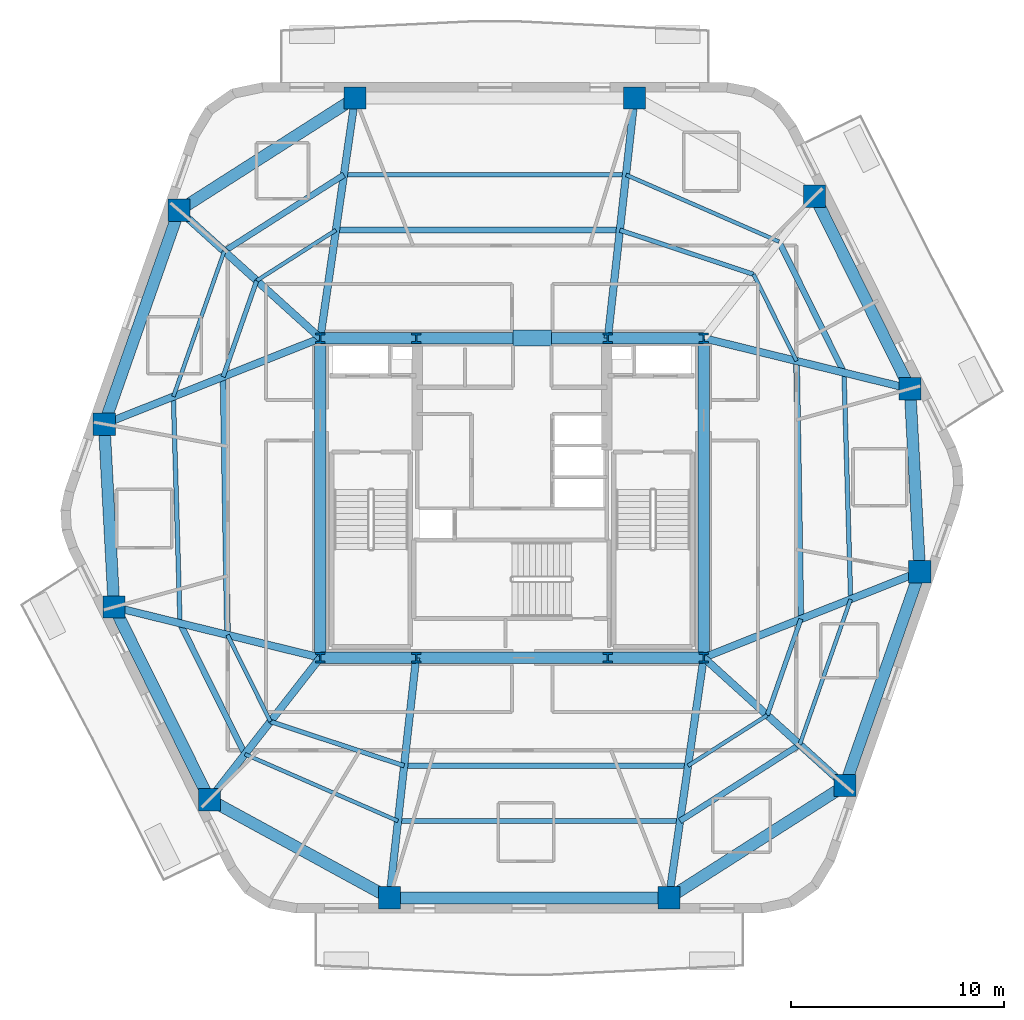
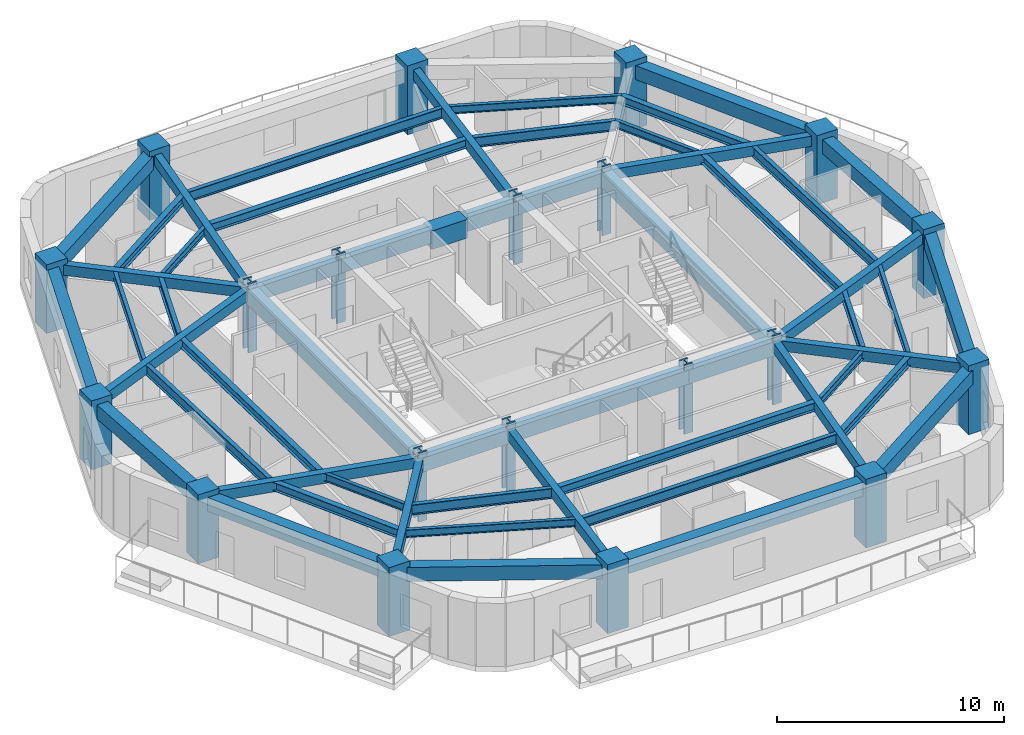
# One storey, part 1 of 10: 54 beams, 20 columns.
"""IFC4 building model written with IfcOpenShell, lengths in metres."""

from ifc_helpers import new_model, si_unit, direction, frame, origin, origin_2d, place, context, subcontext, project, spatial, rectangle, i_section, extrude, material, material_profile, profile_set, type_object, element, save


model = new_model("IFC4")

# Units and contexts
model_context = context("Model", 3, precision=1e-05, world=origin(), true_north=direction((0.0, 1.0)))
body_context = subcontext(model_context, "Body", "Model", "MODEL_VIEW")
ifc_project = project(units=[si_unit("LENGTHUNIT", "METRE"), si_unit("AREAUNIT", "SQUARE_METRE"), si_unit("VOLUMEUNIT", "CUBIC_METRE"), si_unit("PLANEANGLEUNIT", "RADIAN"), si_unit("MASSUNIT", "GRAM", prefix="KILO")], contexts=[model_context])

# Site, building, storey
site_placement = place(None, origin())
site = spatial("IfcSite", under=ifc_project, at=site_placement, CompositionType="ELEMENT")
building_placement = place(site_placement, origin())
building = spatial("IfcBuilding", under=site, at=building_placement, Name="Kilnhurst Terrace Hotel", CompositionType="ELEMENT")
storey_placement = place(building_placement, frame((0.0, 0.0, 190.39990234375)))
storey = spatial("IfcBuildingStorey", under=building, at=storey_placement, Name="L47", CompositionType="ELEMENT", Elevation=190.39990234375)

# Columns
ifc_material_1 = material(Name="Concrete C80/95", Category="concrete")
ifc_material_profile_1 = material_profile(ifc_material_1, rectangle(XDim=1.050048828125, YDim=1.050048828125, at=origin_2d()), Name="RC1050X1050")
ifc_profile_set_1 = profile_set([ifc_material_profile_1], Name="Concrete C80/95")
column_type_1 = type_object("IfcColumnType", Name="COL-RC-1050", PredefinedType="COLUMN", material=ifc_profile_set_1)
for number, where, z_axis, x_axis, name in (
    (1, (-5.7548828125, -18.780029296875, 0.0), (0.0, 0.0, 1.0), (1.0, 0.0, 0.0), "L47 Structural Column PC-F11"),
    (2, (7.368896484375, -18.780029296875, 0.0), (0.0, 0.0, 1.0), (1.0, 0.0, 0.0), "L47 Structural Column PC-F12"),
    (3, (15.633056640625, -13.5048828125, 0.0), (0.0, 0.0, 1.0), (1.0, 0.0, 0.0), "L47 Structural Column PC-F21"),
    (4, (19.14794921875, -3.467041015625, 0.0), (0.0, 0.0, 1.0), (1.0, 0.0, 0.0), "L47 Structural Column PC-F22"),
    (5, (18.68701171875, 5.1240234375, 0.0), (0.0, 0.0, 1.0), (1.0, 0.0, 0.0), "L47 Structural Column PC-F31"),
    (6, (14.2041015625, 14.166015625, 0.0), (0.0, 0.0, 1.0), (1.0, 0.0, 0.0), "L47 Structural Column PC-F32"),
    (7, (5.7548828125, 18.780029296875, 0.0), (0.0, 0.0, 1.0), (1.0, 0.0, 0.0), "L47 Structural Column PC-F41"),
    (8, (-7.368896484375, 18.780029296875, 0.0), (0.0, 0.0, 1.0), (1.0, 0.0, 0.0), "L47 Structural Column PC-F42"),
    (9, (-15.633056640625, 13.5048828125, 0.0), (0.0, 0.0, 1.0), (1.0, 0.0, 0.0), "L47 Structural Column PC-F51"),
    (10, (-19.14794921875, 3.467041015625, 0.0), (0.0, 0.0, 1.0), (1.0, 0.0, 0.0), "L47 Structural Column PC-F52"),
    (11, (-18.68701171875, -5.1240234375, 0.0), (0.0, 0.0, 1.0), (1.0, 0.0, 0.0), "L47 Structural Column PC-F61"),
    (12, (-14.2041015625, -14.166015625, 0.0), (0.0, 0.0, 1.0), (1.0, 0.0, 0.0), "L47 Structural Column PC-F62"),
):
    element("IfcColumn", number, at=place(storey_placement, frame(where, z_axis=z_axis, x_axis=x_axis)), inside=storey, type_object=column_type_1, Name=name, PredefinedType="COLUMN", context=body_context, shape_type="SweptSolid", body=[
        extrude(rectangle(XDim=1.050048828125, YDim=1.050048828125, at=origin_2d()), origin(), (0.0, 0.0, 1.0), 3.7001953125),
    ])
ifc_material_2 = material(Name="Steel ASTM A992 Grade 50", Category="steel")
ifc_material_profile_2 = material_profile(ifc_material_2, i_section(OverallWidth=0.43212890625, OverallDepth=0.497802734375, WebThickness=0.0556640625, FlangeThickness=0.0888671875, at=origin_2d()), Name="W14X500")
ifc_profile_set_2 = profile_set([ifc_material_profile_2], Name="Steel ASTM A992 Grade 50")
column_type_2 = type_object("IfcColumnType", Name="COL-STL-W14X500", PredefinedType="COLUMN", material=ifc_profile_set_2)
for number, where, z_axis, x_axis, name in (
    (13, (-9.0, -7.5, 0.0), (0.0, 0.0, 1.0), (1.0, 0.0, 0.0), "L47 Structural Column CC-SW"),
    (14, (-4.5, -7.5, 0.0), (0.0, 0.0, 1.0), (1.0, 0.0, 0.0), "L47 Structural Column CC-SC1"),
    (15, (4.5, -7.5, 0.0), (0.0, 0.0, 1.0), (1.0, 0.0, 0.0), "L47 Structural Column CC-SC2"),
    (16, (9.0, -7.5, 0.0), (0.0, 0.0, 1.0), (1.0, 0.0, 0.0), "L47 Structural Column CC-SE"),
    (17, (9.0, 7.5, 0.0), (0.0, 0.0, 1.0), (1.0, 0.0, 0.0), "L47 Structural Column CC-NE"),
    (18, (4.5, 7.5, 0.0), (0.0, 0.0, 1.0), (1.0, 0.0, 0.0), "L47 Structural Column CC-NC2"),
    (19, (-4.5, 7.5, 0.0), (0.0, 0.0, 1.0), (1.0, 0.0, 0.0), "L47 Structural Column CC-NC1"),
    (20, (-9.0, 7.5, 0.0), (0.0, 0.0, 1.0), (1.0, 0.0, 0.0), "L47 Structural Column CC-NW"),
):
    element("IfcColumn", number, at=place(storey_placement, frame(where, z_axis=z_axis, x_axis=x_axis)), inside=storey, type_object=column_type_2, Name=name, PredefinedType="COLUMN", context=body_context, shape_type="SweptSolid", body=[
        extrude(i_section(OverallWidth=0.43212890625, OverallDepth=0.497802734375, WebThickness=0.0556640625, FlangeThickness=0.0888671875, at=origin_2d()), origin(), (0.0, 0.0, 1.0), 3.7001953125),
    ])

# Beams
ifc_material_3 = material(Name="Concrete C50/60", Category="concrete")
ifc_material_profile_3 = material_profile(ifc_material_3, rectangle(XDim=0.35009765625, YDim=0.550048828125, at=origin_2d()), Name="RC350X550")
ifc_profile_set_3 = profile_set([ifc_material_profile_3], Name="Concrete C50/60")
beam_type_1 = type_object("IfcBeamType", Name="BM-RAD-350X550", PredefinedType="BEAM", material=ifc_profile_set_3)
beam_1_placement = place(storey_placement, frame((-4.5, -7.5, 3.125), z_axis=(-0.110566099441, -0.993868772854, 0.0), x_axis=(0.993868772854, -0.110566099441, 0.0)))
element("IfcBeam", 21, at=beam_1_placement, inside=storey, type_object=beam_type_1, Name="L47 Radial Floor Beam 1", PredefinedType="BEAM", context=body_context, shape_type="SweptSolid", body=[
    extrude(rectangle(XDim=0.35009765625, YDim=0.550048828125, at=origin_2d()), origin(), (0.0, 0.0, 1.0), 11.349609375),
])
beam_2_placement = place(storey_placement, frame((9.0, -7.5, 3.125), z_axis=(-0.143112538238, -0.989706421824, 0.0), x_axis=(0.989706421824, -0.143112538238, 0.0)))
element("IfcBeam", 22, at=beam_2_placement, inside=storey, type_object=beam_type_1, Name="L47 Radial Floor Beam 2", PredefinedType="BEAM", context=body_context, shape_type="SweptSolid", body=[
    extrude(rectangle(XDim=0.35009765625, YDim=0.550048828125, at=origin_2d()), origin(), (0.0, 0.0, 1.0), 11.3974609375),
])
beam_3_placement = place(storey_placement, frame((9.0, -7.5, 3.125), z_axis=(0.741338585645, -0.671131210296, 0.0), x_axis=(0.671131210296, 0.741338585645, 0.0)))
element("IfcBeam", 23, at=beam_3_placement, inside=storey, type_object=beam_type_1, Name="L47 Radial Floor Beam 3", PredefinedType="BEAM", context=body_context, shape_type="SweptSolid", body=[
    extrude(rectangle(XDim=0.35009765625, YDim=0.550048828125, at=origin_2d()), origin(), (0.0, 0.0, 1.0), 8.947509765625),
])
beam_4_placement = place(storey_placement, frame((9.0, -7.5, 3.125), z_axis=(0.929302373458, 0.369319778356, 0.0), x_axis=(-0.369319778356, 0.929302373458, 0.0)))
element("IfcBeam", 24, at=beam_4_placement, inside=storey, type_object=beam_type_1, Name="L47 Radial Floor Beam 4", PredefinedType="BEAM", context=body_context, shape_type="SweptSolid", body=[
    extrude(rectangle(XDim=0.35009765625, YDim=0.550048828125, at=origin_2d()), origin(), (0.0, 0.0, 1.0), 10.919921875),
])
beam_5_placement = place(storey_placement, frame((9.0, 7.5, 3.125), z_axis=(0.971212767405, -0.238213686486, 0.0), x_axis=(0.238213686486, 0.971212767405, 0.0)))
element("IfcBeam", 25, at=beam_5_placement, inside=storey, type_object=beam_type_1, Name="L47 Radial Floor Beam 5", PredefinedType="BEAM", context=body_context, shape_type="SweptSolid", body=[
    extrude(rectangle(XDim=0.35009765625, YDim=0.550048828125, at=origin_2d()), origin(), (0.0, 0.0, 1.0), 9.97412109375),
])
beam_6_placement = place(storey_placement, frame((4.5, 7.5, 3.125), z_axis=(0.110566099441, 0.993868772854, 0.0), x_axis=(-0.993868772854, 0.110566099441, 0.0)))
element("IfcBeam", 26, at=beam_6_placement, inside=storey, type_object=beam_type_1, Name="L47 Radial Floor Beam 7", PredefinedType="BEAM", context=body_context, shape_type="SweptSolid", body=[
    extrude(rectangle(XDim=0.35009765625, YDim=0.550048828125, at=origin_2d()), origin(), (0.0, 0.0, 1.0), 11.349609375),
])
beam_7_placement = place(storey_placement, frame((-9.0, 7.5, 3.125), z_axis=(0.143112538238, 0.989706421824, 0.0), x_axis=(-0.989706421824, 0.143112538238, 0.0)))
element("IfcBeam", 27, at=beam_7_placement, inside=storey, type_object=beam_type_1, Name="L47 Radial Floor Beam 8", PredefinedType="BEAM", context=body_context, shape_type="SweptSolid", body=[
    extrude(rectangle(XDim=0.35009765625, YDim=0.550048828125, at=origin_2d()), origin(), (0.0, 0.0, 1.0), 11.3974609375),
])
beam_8_placement = place(storey_placement, frame((-9.0, 7.5, 3.125), z_axis=(-0.741338585645, 0.671131210296, 0.0), x_axis=(-0.671131210296, -0.741338585645, 0.0)))
element("IfcBeam", 28, at=beam_8_placement, inside=storey, type_object=beam_type_1, Name="L47 Radial Floor Beam 9", PredefinedType="BEAM", context=body_context, shape_type="SweptSolid", body=[
    extrude(rectangle(XDim=0.35009765625, YDim=0.550048828125, at=origin_2d()), origin(), (0.0, 0.0, 1.0), 8.947509765625),
])
beam_9_placement = place(storey_placement, frame((-9.0, 7.5, 3.125), z_axis=(-0.929302373458, -0.369319778356, 0.0), x_axis=(0.369319778356, -0.929302373458, 0.0)))
element("IfcBeam", 29, at=beam_9_placement, inside=storey, type_object=beam_type_1, Name="L47 Radial Floor Beam 10", PredefinedType="BEAM", context=body_context, shape_type="SweptSolid", body=[
    extrude(rectangle(XDim=0.35009765625, YDim=0.550048828125, at=origin_2d()), origin(), (0.0, 0.0, 1.0), 10.919921875),
])
beam_10_placement = place(storey_placement, frame((-9.0, -7.5, 3.125), z_axis=(-0.971212767405, 0.238213686486, 0.0), x_axis=(-0.238213686486, -0.971212767405, 0.0)))
element("IfcBeam", 30, at=beam_10_placement, inside=storey, type_object=beam_type_1, Name="L47 Radial Floor Beam 11", PredefinedType="BEAM", context=body_context, shape_type="SweptSolid", body=[
    extrude(rectangle(XDim=0.35009765625, YDim=0.550048828125, at=origin_2d()), origin(), (0.0, 0.0, 1.0), 9.97412109375),
])
beam_11_placement = place(storey_placement, frame((-9.0, -7.5, 3.125), z_axis=(-0.615370616457, -0.78823791104, 0.0), x_axis=(0.78823791104, -0.615370616457, 0.0)))
element("IfcBeam", 31, at=beam_11_placement, inside=storey, type_object=beam_type_1, Name="L47 Radial Floor Beam 12", PredefinedType="BEAM", context=body_context, shape_type="SweptSolid", body=[
    extrude(rectangle(XDim=0.35009765625, YDim=0.550048828125, at=origin_2d()), origin(), (0.0, 0.0, 1.0), 8.456787109375),
])
ifc_material_profile_4 = material_profile(ifc_material_3, rectangle(XDim=0.550048828125, YDim=0.75, at=origin_2d()), Name="RC550X750")
ifc_profile_set_4 = profile_set([ifc_material_profile_4], Name="Concrete C50/60")
beam_type_2 = type_object("IfcBeamType", Name="BM-SPN-550X750", PredefinedType="SPANDREL", material=ifc_profile_set_4)
beam_12_placement = place(storey_placement, frame((-9.0, 7.5, 3.025146484375), z_axis=(1.0, 0.0, 0.0), x_axis=(0.0, 1.0, 0.0)))
element("IfcBeam", 32, at=beam_12_placement, inside=storey, type_object=beam_type_2, Name="L47 Core Tie Beam CC-NW to CC-NC1", PredefinedType="SPANDREL", context=body_context, shape_type="SweptSolid", body=[
    extrude(rectangle(XDim=0.550048828125, YDim=0.75, at=origin_2d()), origin(), (0.0, 0.0, 1.0), 4.5),
])
beam_13_placement = place(storey_placement, frame((-4.5, 7.5, 3.025146484375), z_axis=(1.0, 0.0, 0.0), x_axis=(0.0, 1.0, 0.0)))
element("IfcBeam", 33, at=beam_13_placement, inside=storey, type_object=beam_type_2, Name="L47 Core Tie Beam CC-NC1 to CC-NC2", PredefinedType="SPANDREL", context=body_context, shape_type="SweptSolid", body=[
    extrude(rectangle(XDim=0.550048828125, YDim=0.75, at=origin_2d()), origin(), (0.0, 0.0, 1.0), 9.0),
])
for number, where, z_axis, x_axis, name in (
    (34, (4.5, 7.5, 3.025146484375), (1.0, 0.0, 0.0), (0.0, 1.0, 0.0), "L47 Core Tie Beam CC-NC2 to CC-NE"),
    (35, (-9.0, -7.5, 3.025146484375), (1.0, 0.0, 0.0), (0.0, 1.0, 0.0), "L47 Core Tie Beam CC-SW to CC-SC1"),
):
    element("IfcBeam", number, at=place(storey_placement, frame(where, z_axis=z_axis, x_axis=x_axis)), inside=storey, type_object=beam_type_2, Name=name, PredefinedType="SPANDREL", context=body_context, shape_type="SweptSolid", body=[
        extrude(rectangle(XDim=0.550048828125, YDim=0.75, at=origin_2d()), origin(), (0.0, 0.0, 1.0), 4.5),
    ])
beam_14_placement = place(storey_placement, frame((-4.5, -7.5, 3.025146484375), z_axis=(1.0, 0.0, 0.0), x_axis=(0.0, 1.0, 0.0)))
element("IfcBeam", 36, at=beam_14_placement, inside=storey, type_object=beam_type_2, Name="L47 Core Tie Beam CC-SC1 to CC-SC2", PredefinedType="SPANDREL", context=body_context, shape_type="SweptSolid", body=[
    extrude(rectangle(XDim=0.550048828125, YDim=0.75, at=origin_2d()), origin(), (0.0, 0.0, 1.0), 9.0),
])
beam_15_placement = place(storey_placement, frame((4.5, -7.5, 3.025146484375), z_axis=(1.0, 0.0, 0.0), x_axis=(0.0, 1.0, 0.0)))
element("IfcBeam", 37, at=beam_15_placement, inside=storey, type_object=beam_type_2, Name="L47 Core Tie Beam CC-SC2 to CC-SE", PredefinedType="SPANDREL", context=body_context, shape_type="SweptSolid", body=[
    extrude(rectangle(XDim=0.550048828125, YDim=0.75, at=origin_2d()), origin(), (0.0, 0.0, 1.0), 4.5),
])
for number, where, z_axis, x_axis, name in (
    (38, (-9.0, -7.5, 3.025146484375), (0.0, 1.0, 0.0), (-1.0, 0.0, 0.0), "L47 Core Tie Beam CC-SW to CC-NW"),
    (39, (9.0, -7.5, 3.025146484375), (0.0, 1.0, 0.0), (-1.0, 0.0, 0.0), "L47 Core Tie Beam CC-SE to CC-NE"),
):
    element("IfcBeam", number, at=place(storey_placement, frame(where, z_axis=z_axis, x_axis=x_axis)), inside=storey, type_object=beam_type_2, Name=name, PredefinedType="SPANDREL", context=body_context, shape_type="SweptSolid", body=[
        extrude(rectangle(XDim=0.550048828125, YDim=0.75, at=origin_2d()), origin(), (0.0, 0.0, 1.0), 15.0),
    ])
beam_16_placement = place(storey_placement, frame((-5.7548828125, -18.780029296875, 3.025146484375), z_axis=(1.0, 0.0, 0.0), x_axis=(0.0, 1.0, 0.0)))
element("IfcBeam", 40, at=beam_16_placement, inside=storey, type_object=beam_type_2, Name="L47 Perimeter Spandrel Beam 1", PredefinedType="SPANDREL", context=body_context, shape_type="SweptSolid", body=[
    extrude(rectangle(XDim=0.550048828125, YDim=0.75, at=origin_2d()), origin(), (0.0, 0.0, 1.0), 13.123779296875),
])
beam_17_placement = place(storey_placement, frame((7.368896484375, -18.780029296875, 3.025146484375), z_axis=(0.842915241256, 0.538046369803, 0.0), x_axis=(-0.538046369803, 0.842915241256, 0.0)))
element("IfcBeam", 41, at=beam_17_placement, inside=storey, type_object=beam_type_2, Name="L47 Perimeter Spandrel Beam 2", PredefinedType="SPANDREL", context=body_context, shape_type="SweptSolid", body=[
    extrude(rectangle(XDim=0.550048828125, YDim=0.75, at=origin_2d()), origin(), (0.0, 0.0, 1.0), 9.80419921875),
])
beam_18_placement = place(storey_placement, frame((15.633056640625, -13.5048828125, 3.025146484375), z_axis=(0.330488460168, 0.943810032632, 0.0), x_axis=(-0.943810032632, 0.330488460168, 0.0)))
element("IfcBeam", 42, at=beam_18_placement, inside=storey, type_object=beam_type_2, Name="L47 Perimeter Spandrel Beam 3", PredefinedType="SPANDREL", context=body_context, shape_type="SweptSolid", body=[
    extrude(rectangle(XDim=0.550048828125, YDim=0.75, at=origin_2d()), origin(), (0.0, 0.0, 1.0), 10.635498046875),
])
beam_19_placement = place(storey_placement, frame((19.14794921875, -3.467041015625, 3.025146484375), z_axis=(-0.053576072051, 0.998563770875, 0.0), x_axis=(-0.998563770875, -0.053576072051, 0.0)))
element("IfcBeam", 43, at=beam_19_placement, inside=storey, type_object=beam_type_2, Name="L47 Perimeter Spandrel Beam 4", PredefinedType="SPANDREL", context=body_context, shape_type="SweptSolid", body=[
    extrude(rectangle(XDim=0.550048828125, YDim=0.75, at=origin_2d()), origin(), (0.0, 0.0, 1.0), 8.603515625),
])
beam_20_placement = place(storey_placement, frame((18.68701171875, 5.1240234375, 3.025146484375), z_axis=(-0.444192032261, 0.895931603682, 0.0), x_axis=(-0.895931603682, -0.444192032261, 0.0)))
element("IfcBeam", 44, at=beam_20_placement, inside=storey, type_object=beam_type_2, Name="L47 Perimeter Spandrel Beam 5", PredefinedType="SPANDREL", context=body_context, shape_type="SweptSolid", body=[
    extrude(rectangle(XDim=0.550048828125, YDim=0.75, at=origin_2d()), origin(), (0.0, 0.0, 1.0), 10.09228515625),
])
beam_21_placement = place(storey_placement, frame((-7.368896484375, 18.780029296875, 3.025146484375), z_axis=(-0.842915241256, -0.538046369803, 0.0), x_axis=(0.538046369803, -0.842915241256, 0.0)))
element("IfcBeam", 45, at=beam_21_placement, inside=storey, type_object=beam_type_2, Name="L47 Perimeter Spandrel Beam 8", PredefinedType="SPANDREL", context=body_context, shape_type="SweptSolid", body=[
    extrude(rectangle(XDim=0.550048828125, YDim=0.75, at=origin_2d()), origin(), (0.0, 0.0, 1.0), 9.80419921875),
])
beam_22_placement = place(storey_placement, frame((-15.633056640625, 13.5048828125, 3.025146484375), z_axis=(-0.330488460168, -0.943810032632, 0.0), x_axis=(0.943810032632, -0.330488460168, 0.0)))
element("IfcBeam", 46, at=beam_22_placement, inside=storey, type_object=beam_type_2, Name="L47 Perimeter Spandrel Beam 9", PredefinedType="SPANDREL", context=body_context, shape_type="SweptSolid", body=[
    extrude(rectangle(XDim=0.550048828125, YDim=0.75, at=origin_2d()), origin(), (0.0, 0.0, 1.0), 10.635498046875),
])
beam_23_placement = place(storey_placement, frame((-19.14794921875, 3.467041015625, 3.025146484375), z_axis=(0.053576072051, -0.998563770875, 0.0), x_axis=(0.998563770875, 0.053576072051, 0.0)))
element("IfcBeam", 47, at=beam_23_placement, inside=storey, type_object=beam_type_2, Name="L47 Perimeter Spandrel Beam 10", PredefinedType="SPANDREL", context=body_context, shape_type="SweptSolid", body=[
    extrude(rectangle(XDim=0.550048828125, YDim=0.75, at=origin_2d()), origin(), (0.0, 0.0, 1.0), 8.603515625),
])
beam_24_placement = place(storey_placement, frame((-18.68701171875, -5.1240234375, 3.025146484375), z_axis=(0.444192032261, -0.895931603682, 0.0), x_axis=(0.895931603682, 0.444192032261, 0.0)))
element("IfcBeam", 48, at=beam_24_placement, inside=storey, type_object=beam_type_2, Name="L47 Perimeter Spandrel Beam 11", PredefinedType="SPANDREL", context=body_context, shape_type="SweptSolid", body=[
    extrude(rectangle(XDim=0.550048828125, YDim=0.75, at=origin_2d()), origin(), (0.0, 0.0, 1.0), 10.09228515625),
])
beam_25_placement = place(storey_placement, frame((-14.2041015625, -14.166015625, 3.025146484375), z_axis=(0.87766189723, -0.479280287672, 0.0), x_axis=(0.479280287672, 0.87766189723, 0.0)))
element("IfcBeam", 49, at=beam_25_placement, inside=storey, type_object=beam_type_2, Name="L47 Perimeter Spandrel Beam 12", PredefinedType="SPANDREL", context=body_context, shape_type="SweptSolid", body=[
    extrude(rectangle(XDim=0.550048828125, YDim=0.75, at=origin_2d()), origin(), (0.0, 0.0, 1.0), 9.626953125),
])
ifc_material_profile_5 = material_profile(ifc_material_2, i_section(OverallWidth=0.180908203125, OverallDepth=0.417236328125, WebThickness=0.010986328125, FlangeThickness=0.018310546875, at=origin_2d()), Name="W16X57")
ifc_profile_set_5 = profile_set([ifc_material_profile_5], Name="Steel ASTM A992 Grade 50")
beam_type_3 = type_object("IfcBeamType", Name="JST-STL-W16X57", PredefinedType="JOIST", material=ifc_profile_set_5)
beam_26_placement = place(storey_placement, frame((13.510498046875, -11.58349609375, 3.191162109375), z_axis=(0.330481239411, 0.943812561051, 0.0), x_axis=(-0.943812561051, 0.330481239411, 0.0)))
element("IfcBeam", 50, at=beam_26_placement, inside=storey, type_object=beam_type_3, Name="L47 Secondary Floor Steel Joist OUT.3", PredefinedType="JOIST", context=body_context, shape_type="SweptSolid", body=[
    extrude(i_section(OverallWidth=0.180908203125, OverallDepth=0.417236328125, WebThickness=0.010986328125, FlangeThickness=0.018310546875, at=origin_2d()), origin(), (0.0, 0.0, 1.0), 7.232177734375),
])
beam_27_placement = place(storey_placement, frame((12.538818359375, 12.032958984375, 3.191162109375), z_axis=(-0.916443679054, 0.400163695407, 0.0), x_axis=(-0.400163695407, -0.916443679054, 0.0)))
element("IfcBeam", 51, at=beam_27_placement, inside=storey, type_object=beam_type_3, Name="L47 Secondary Floor Steel Joist OUT.6", PredefinedType="JOIST", context=body_context, shape_type="SweptSolid", body=[
    extrude(i_section(OverallWidth=0.180908203125, OverallDepth=0.417236328125, WebThickness=0.010986328125, FlangeThickness=0.018310546875, at=origin_2d()), origin(), (0.0, 0.0, 1.0), 7.84033203125),
])
beam_28_placement = place(storey_placement, frame((-13.510498046875, 11.58349609375, 3.191162109375), z_axis=(-0.330481239411, -0.943812561051, 0.0), x_axis=(0.943812561051, -0.330481239411, 0.0)))
element("IfcBeam", 52, at=beam_28_placement, inside=storey, type_object=beam_type_3, Name="L47 Secondary Floor Steel Joist OUT.9", PredefinedType="JOIST", context=body_context, shape_type="SweptSolid", body=[
    extrude(i_section(OverallWidth=0.180908203125, OverallDepth=0.417236328125, WebThickness=0.010986328125, FlangeThickness=0.018310546875, at=origin_2d()), origin(), (0.0, 0.0, 1.0), 7.232177734375),
])
beam_29_placement = place(storey_placement, frame((-12.538818359375, -12.032958984375, 3.191162109375), z_axis=(0.916443679054, -0.400163695407, 0.0), x_axis=(0.400163695407, 0.916443679054, 0.0)))
element("IfcBeam", 53, at=beam_29_placement, inside=storey, type_object=beam_type_3, Name="L47 Secondary Floor Steel Joist OUT.12", PredefinedType="JOIST", context=body_context, shape_type="SweptSolid", body=[
    extrude(i_section(OverallWidth=0.180908203125, OverallDepth=0.417236328125, WebThickness=0.010986328125, FlangeThickness=0.018310546875, at=origin_2d()), origin(), (0.0, 0.0, 1.0), 7.84033203125),
])
beam_30_placement = place(storey_placement, frame((8.26611328125, -12.575927734375, 3.191162109375), z_axis=(0.842910995806, 0.53805302076, 0.0), x_axis=(-0.53805302076, 0.842910995806, 0.0)))
element("IfcBeam", 54, at=beam_30_placement, inside=storey, type_object=beam_type_3, Name="L47 Secondary Floor Steel Joist IN.2", PredefinedType="JOIST", context=body_context, shape_type="SweptSolid", body=[
    extrude(i_section(OverallWidth=0.180908203125, OverallDepth=0.417236328125, WebThickness=0.010986328125, FlangeThickness=0.018310546875, at=origin_2d()), origin(), (0.0, 0.0, 1.0), 4.411865234375),
])
beam_31_placement = place(storey_placement, frame((13.359130859375, 6.430908203125, 3.191162109375), z_axis=(-0.444200626094, 0.895927342912, 0.0), x_axis=(-0.895927342912, -0.444200626094, 0.0)))
element("IfcBeam", 55, at=beam_31_placement, inside=storey, type_object=beam_type_3, Name="L47 Secondary Floor Steel Joist IN.5", PredefinedType="JOIST", context=body_context, shape_type="SweptSolid", body=[
    extrude(i_section(OverallWidth=0.180908203125, OverallDepth=0.417236328125, WebThickness=0.010986328125, FlangeThickness=0.018310546875, at=origin_2d()), origin(), (0.0, 0.0, 1.0), 4.54150390625),
])
beam_32_placement = place(storey_placement, frame((-8.26611328125, 12.575927734375, 3.191162109375), z_axis=(-0.842910995806, -0.53805302076, 0.0), x_axis=(0.53805302076, -0.842910995806, 0.0)))
element("IfcBeam", 56, at=beam_32_placement, inside=storey, type_object=beam_type_3, Name="L47 Secondary Floor Steel Joist IN.8", PredefinedType="JOIST", context=body_context, shape_type="SweptSolid", body=[
    extrude(i_section(OverallWidth=0.180908203125, OverallDepth=0.417236328125, WebThickness=0.010986328125, FlangeThickness=0.018310546875, at=origin_2d()), origin(), (0.0, 0.0, 1.0), 4.411865234375),
])
beam_33_placement = place(storey_placement, frame((-13.359130859375, -6.430908203125, 3.191162109375), z_axis=(0.444200626094, -0.895927342912, 0.0), x_axis=(0.895927342912, 0.444200626094, 0.0)))
element("IfcBeam", 57, at=beam_33_placement, inside=storey, type_object=beam_type_3, Name="L47 Secondary Floor Steel Joist IN.11", PredefinedType="JOIST", context=body_context, shape_type="SweptSolid", body=[
    extrude(i_section(OverallWidth=0.180908203125, OverallDepth=0.417236328125, WebThickness=0.010986328125, FlangeThickness=0.018310546875, at=origin_2d()), origin(), (0.0, 0.0, 1.0), 4.54150390625),
])
ifc_material_profile_6 = material_profile(ifc_material_2, i_section(OverallWidth=0.279296875, OverallDepth=0.462890625, WebThickness=0.0107421875, FlangeThickness=0.017333984375, at=origin_2d()), Name="W18X76")
ifc_profile_set_6 = profile_set([ifc_material_profile_6], Name="Steel ASTM A992 Grade 50")
beam_type_4 = type_object("IfcBeamType", Name="JST-STL-W18X76", PredefinedType="JOIST", material=ifc_profile_set_6)
beam_34_placement = place(storey_placement, frame((7.890869140625, -15.17041015625, 3.168212890625), z_axis=(0.842927863369, 0.538026595213, 0.0), x_axis=(-0.538026595213, 0.842927863369, 0.0)))
element("IfcBeam", 58, at=beam_34_placement, inside=storey, type_object=beam_type_4, Name="L47 Secondary Floor Steel Joist OUT.2", PredefinedType="JOIST", context=body_context, shape_type="SweptSolid", body=[
    extrude(i_section(OverallWidth=0.279296875, OverallDepth=0.462890625, WebThickness=0.0107421875, FlangeThickness=0.017333984375, at=origin_2d()), origin(), (0.0, 0.0, 1.0), 6.666748046875),
])
beam_35_placement = place(storey_placement, frame((15.587158203125, 5.88427734375, 3.168212890625), z_axis=(-0.444180101574, 0.895937518673, 0.0), x_axis=(-0.895937518673, -0.444180101574, 0.0)))
element("IfcBeam", 59, at=beam_35_placement, inside=storey, type_object=beam_type_4, Name="L47 Secondary Floor Steel Joist OUT.5", PredefinedType="JOIST", context=body_context, shape_type="SweptSolid", body=[
    extrude(i_section(OverallWidth=0.279296875, OverallDepth=0.462890625, WebThickness=0.0107421875, FlangeThickness=0.017333984375, at=origin_2d()), origin(), (0.0, 0.0, 1.0), 6.86279296875),
])
beam_36_placement = place(storey_placement, frame((-7.890869140625, 15.17041015625, 3.168212890625), z_axis=(-0.842927863369, -0.538026595213, 0.0), x_axis=(0.538026595213, -0.842927863369, 0.0)))
element("IfcBeam", 60, at=beam_36_placement, inside=storey, type_object=beam_type_4, Name="L47 Secondary Floor Steel Joist OUT.8", PredefinedType="JOIST", context=body_context, shape_type="SweptSolid", body=[
    extrude(i_section(OverallWidth=0.279296875, OverallDepth=0.462890625, WebThickness=0.0107421875, FlangeThickness=0.017333984375, at=origin_2d()), origin(), (0.0, 0.0, 1.0), 6.666748046875),
])
beam_37_placement = place(storey_placement, frame((-15.587158203125, -5.88427734375, 3.168212890625), z_axis=(0.444180101574, -0.895937518673, 0.0), x_axis=(0.895937518673, 0.444180101574, 0.0)))
element("IfcBeam", 61, at=beam_37_placement, inside=storey, type_object=beam_type_4, Name="L47 Secondary Floor Steel Joist OUT.11", PredefinedType="JOIST", context=body_context, shape_type="SweptSolid", body=[
    extrude(i_section(OverallWidth=0.279296875, OverallDepth=0.462890625, WebThickness=0.0107421875, FlangeThickness=0.017333984375, at=origin_2d()), origin(), (0.0, 0.0, 1.0), 6.86279296875),
])
beam_38_placement = place(storey_placement, frame((-5.064697265625, -12.575927734375, 3.168212890625), z_axis=(1.0, 0.0, 0.0), x_axis=(0.0, 1.0, 0.0)))
element("IfcBeam", 62, at=beam_38_placement, inside=storey, type_object=beam_type_4, Name="L47 Secondary Floor Steel Joist IN.1", PredefinedType="JOIST", context=body_context, shape_type="SweptSolid", body=[
    extrude(i_section(OverallWidth=0.279296875, OverallDepth=0.462890625, WebThickness=0.0107421875, FlangeThickness=0.017333984375, at=origin_2d()), origin(), (0.0, 0.0, 1.0), 13.330810546875),
])
beam_39_placement = place(storey_placement, frame((13.566650390625, -5.685302734375, 3.168212890625), z_axis=(-0.017124916462, 0.999853357866, 0.0), x_axis=(-0.999853357866, -0.017124916462, 0.0)))
element("IfcBeam", 63, at=beam_39_placement, inside=storey, type_object=beam_type_4, Name="L47 Secondary Floor Steel Joist IN.4", PredefinedType="JOIST", context=body_context, shape_type="SweptSolid", body=[
    extrude(i_section(OverallWidth=0.279296875, OverallDepth=0.462890625, WebThickness=0.0107421875, FlangeThickness=0.017333984375, at=origin_2d()), origin(), (0.0, 0.0, 1.0), 12.117919921875),
])
beam_40_placement = place(storey_placement, frame((5.064697265625, 12.575927734375, 3.168212890625), z_axis=(-1.0, 0.0, 0.0), x_axis=(0.0, -1.0, 0.0)))
element("IfcBeam", 64, at=beam_40_placement, inside=storey, type_object=beam_type_4, Name="L47 Secondary Floor Steel Joist IN.7", PredefinedType="JOIST", context=body_context, shape_type="SweptSolid", body=[
    extrude(i_section(OverallWidth=0.279296875, OverallDepth=0.462890625, WebThickness=0.0107421875, FlangeThickness=0.017333984375, at=origin_2d()), origin(), (0.0, 0.0, 1.0), 13.330810546875),
])
beam_41_placement = place(storey_placement, frame((-13.566650390625, 5.685302734375, 3.168212890625), z_axis=(0.017124916462, -0.999853357866, 0.0), x_axis=(0.999853357866, 0.017124916462, 0.0)))
element("IfcBeam", 65, at=beam_41_placement, inside=storey, type_object=beam_type_4, Name="L47 Secondary Floor Steel Joist IN.10", PredefinedType="JOIST", context=body_context, shape_type="SweptSolid", body=[
    extrude(i_section(OverallWidth=0.279296875, OverallDepth=0.462890625, WebThickness=0.0107421875, FlangeThickness=0.017333984375, at=origin_2d()), origin(), (0.0, 0.0, 1.0), 12.117919921875),
])
ifc_material_profile_7 = material_profile(ifc_material_2, i_section(OverallWidth=0.2138671875, OverallDepth=0.549072265625, WebThickness=0.0146484375, FlangeThickness=0.023681640625, at=origin_2d()), Name="W21X93")
ifc_profile_set_7 = profile_set([ifc_material_profile_7], Name="Steel ASTM A992 Grade 50")
beam_type_5 = type_object("IfcBeamType", Name="JST-STL-W21X93", PredefinedType="JOIST", material=ifc_profile_set_7)
beam_42_placement = place(storey_placement, frame((-5.353515625, -15.17041015625, 3.125), z_axis=(1.0, 0.0, 0.0), x_axis=(0.0, 1.0, 0.0)))
element("IfcBeam", 66, at=beam_42_placement, inside=storey, type_object=beam_type_5, Name="L47 Secondary Floor Steel Joist OUT.1", PredefinedType="JOIST", context=body_context, shape_type="SweptSolid", body=[
    extrude(i_section(OverallWidth=0.2138671875, OverallDepth=0.549072265625, WebThickness=0.0146484375, FlangeThickness=0.023681640625, at=origin_2d()), origin(), (0.0, 0.0, 1.0), 13.244384765625),
])
beam_43_placement = place(storey_placement, frame((15.900634765625, -4.757568359375, 3.125), z_axis=(-0.029444201298, 0.999566425512, 0.0), x_axis=(-0.999566425512, -0.029444201298, 0.0)))
element("IfcBeam", 67, at=beam_43_placement, inside=storey, type_object=beam_type_5, Name="L47 Secondary Floor Steel Joist OUT.4", PredefinedType="JOIST", context=body_context, shape_type="SweptSolid", body=[
    extrude(i_section(OverallWidth=0.2138671875, OverallDepth=0.549072265625, WebThickness=0.0146484375, FlangeThickness=0.023681640625, at=origin_2d()), origin(), (0.0, 0.0, 1.0), 10.646484375),
])
beam_44_placement = place(storey_placement, frame((5.353515625, 15.17041015625, 3.125), z_axis=(-1.0, 0.0, 0.0), x_axis=(0.0, -1.0, 0.0)))
element("IfcBeam", 68, at=beam_44_placement, inside=storey, type_object=beam_type_5, Name="L47 Secondary Floor Steel Joist OUT.7", PredefinedType="JOIST", context=body_context, shape_type="SweptSolid", body=[
    extrude(i_section(OverallWidth=0.2138671875, OverallDepth=0.549072265625, WebThickness=0.0146484375, FlangeThickness=0.023681640625, at=origin_2d()), origin(), (0.0, 0.0, 1.0), 13.244384765625),
])
beam_45_placement = place(storey_placement, frame((-15.900634765625, 4.757568359375, 3.125), z_axis=(0.029444201298, -0.999566425512, 0.0), x_axis=(0.999566425512, 0.029444201298, 0.0)))
element("IfcBeam", 69, at=beam_45_placement, inside=storey, type_object=beam_type_5, Name="L47 Secondary Floor Steel Joist OUT.10", PredefinedType="JOIST", context=body_context, shape_type="SweptSolid", body=[
    extrude(i_section(OverallWidth=0.2138671875, OverallDepth=0.549072265625, WebThickness=0.0146484375, FlangeThickness=0.023681640625, at=origin_2d()), origin(), (0.0, 0.0, 1.0), 10.646484375),
])
beam_46_placement = place(storey_placement, frame((11.98486328125, -10.2021484375, 3.125), z_axis=(0.330516298629, 0.943800284139, 0.0), x_axis=(-0.943800284139, 0.330516298629, 0.0)))
element("IfcBeam", 70, at=beam_46_placement, inside=storey, type_object=beam_type_5, Name="L47 Secondary Floor Steel Joist IN.3", PredefinedType="JOIST", context=body_context, shape_type="SweptSolid", body=[
    extrude(i_section(OverallWidth=0.2138671875, OverallDepth=0.549072265625, WebThickness=0.0146484375, FlangeThickness=0.023681640625, at=origin_2d()), origin(), (0.0, 0.0, 1.0), 4.785888671875),
])
beam_47_placement = place(storey_placement, frame((11.341796875, 10.499755859375, 3.125), z_axis=(-0.949415572736, 0.314022404051, 0.0), x_axis=(-0.314022404051, -0.949415572736, 0.0)))
element("IfcBeam", 71, at=beam_47_placement, inside=storey, type_object=beam_type_5, Name="L47 Secondary Floor Steel Joist IN.6", PredefinedType="JOIST", context=body_context, shape_type="SweptSolid", body=[
    extrude(i_section(OverallWidth=0.2138671875, OverallDepth=0.549072265625, WebThickness=0.0146484375, FlangeThickness=0.023681640625, at=origin_2d()), origin(), (0.0, 0.0, 1.0), 6.611572265625),
])
beam_48_placement = place(storey_placement, frame((-11.98486328125, 10.2021484375, 3.125), z_axis=(-0.330516298629, -0.943800284139, 0.0), x_axis=(0.943800284139, -0.330516298629, 0.0)))
element("IfcBeam", 72, at=beam_48_placement, inside=storey, type_object=beam_type_5, Name="L47 Secondary Floor Steel Joist IN.9", PredefinedType="JOIST", context=body_context, shape_type="SweptSolid", body=[
    extrude(i_section(OverallWidth=0.2138671875, OverallDepth=0.549072265625, WebThickness=0.0146484375, FlangeThickness=0.023681640625, at=origin_2d()), origin(), (0.0, 0.0, 1.0), 4.785888671875),
])
beam_49_placement = place(storey_placement, frame((-11.341796875, -10.499755859375, 3.125), z_axis=(0.949415572736, -0.314022404051, 0.0), x_axis=(0.314022404051, 0.949415572736, 0.0)))
element("IfcBeam", 73, at=beam_49_placement, inside=storey, type_object=beam_type_5, Name="L47 Secondary Floor Steel Joist IN.12", PredefinedType="JOIST", context=body_context, shape_type="SweptSolid", body=[
    extrude(i_section(OverallWidth=0.2138671875, OverallDepth=0.549072265625, WebThickness=0.0146484375, FlangeThickness=0.023681640625, at=origin_2d()), origin(), (0.0, 0.0, 1.0), 6.611572265625),
])
ifc_material_4 = material(Name="Concrete C60/75", Category="concrete")
ifc_material_profile_8 = material_profile(ifc_material_4, rectangle(XDim=0.75, YDim=1.0, at=origin_2d()), Name="RC750X1000")
ifc_profile_set_8 = profile_set([ifc_material_profile_8], Name="Concrete C60/75")
beam_type_6 = type_object("IfcBeamType", Name="LNT-CB-750X1000", PredefinedType="LINTEL", material=ifc_profile_set_8)
beam_50_placement = place(storey_placement, frame((0.050048828125, 7.5, 2.900146484375), z_axis=(1.0, 0.0, 0.0), x_axis=(0.0, 1.0, 0.0)))
element("IfcBeam", 74, at=beam_50_placement, inside=storey, type_object=beam_type_6, Name="L47 North Core Coupling Link Beam", PredefinedType="LINTEL", context=body_context, shape_type="SweptSolid", body=[
    extrude(rectangle(XDim=0.75, YDim=1.0, at=origin_2d()), origin(), (0.0, 0.0, 1.0), 1.800048828125),
])

save(model, "model.ifc")
